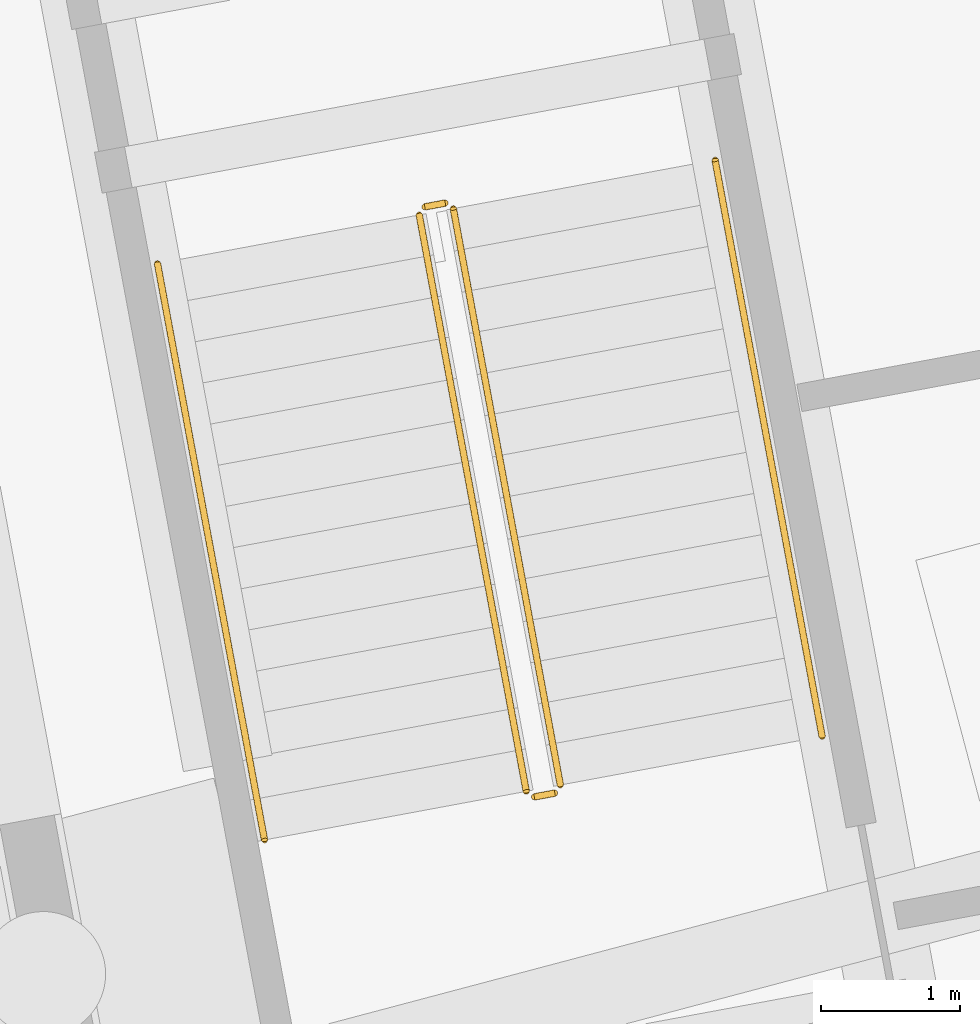
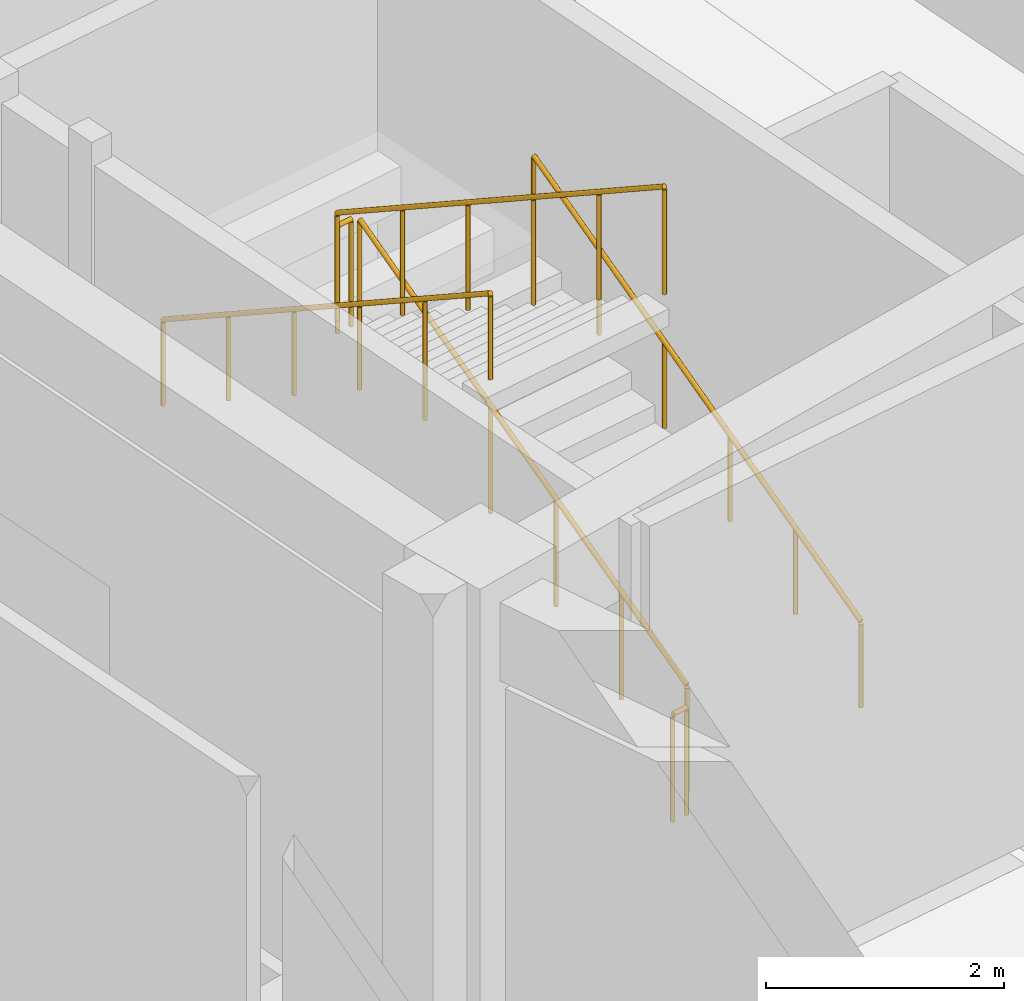
# One storey, part 72 of 88: 6 railings.
"""IFC4 building model written with IfcOpenShell, lengths in metres."""

from ifc_helpers import new_model, si_unit, direction, frame, origin, origin_2d, place, context, subcontext, project, spatial, circle, extrude, material, type_object, element, save


model = new_model("IFC4")

# Units and contexts
model_context = context("Model", 3, precision=1e-05, world=origin(), true_north=direction((0.0, 1.0)))
body_context = subcontext(model_context, "Body", "Model", "MODEL_VIEW")
ifc_project = project(units=[si_unit("LENGTHUNIT", "METRE"), si_unit("AREAUNIT", "SQUARE_METRE"), si_unit("VOLUMEUNIT", "CUBIC_METRE"), si_unit("PLANEANGLEUNIT", "RADIAN"), si_unit("MASSUNIT", "GRAM", prefix="KILO")], contexts=[model_context])

# Site, building, storey
site_placement = place(None, origin())
site = spatial("IfcSite", under=ifc_project, at=site_placement, CompositionType="ELEMENT")
building_placement = place(site_placement, origin())
building = spatial("IfcBuilding", under=site, at=building_placement, Name="Mphavela Belvedere Stadium", CompositionType="ELEMENT")
storey_placement = place(building_placement, origin())
storey = spatial("IfcBuildingStorey", under=building, at=storey_placement, Name="L00", CompositionType="ELEMENT", Elevation=0.0)

# Railings
ifc_material_1 = material(Name="Painted galvanised steel stair guardrail", Category="steel")
railing_type_1 = type_object("IfcRailingType", Name="RAL-GUARD-1120", PredefinedType="GUARDRAIL", material=ifc_material_1)
railing_1_placement = place(storey_placement, frame((18.27001953125, 62.91162109375, 0.179931640625)))
element("IfcRailing", 1, at=railing_1_placement, inside=storey, type_object=railing_type_1, Name="L00 ST-C09 stair guard 1", PredefinedType="GUARDRAIL", context=body_context, shape_type="SweptSolid", body=[
    extrude(circle(Radius=0.02392578125, at=origin_2d()), frame((0.0, 0.0, 1.09619140625), z_axis=(-0.156838474043, 0.844556830339, 0.511981887753), x_axis=(-0.983190365008, -0.182583422456, 0.0)), (0.0, 0.0, 1.0), 4.922119140625),
    extrude(circle(Radius=0.02099609375, at=origin_2d()), origin(), (0.0, 0.0, 1.0), 1.072021484375),
    extrude(circle(Radius=0.02099609375, at=origin_2d()), frame((-0.154296875, 0.831298828125, 0.50390625)), (0.0, 0.0, 1.0), 1.072021484375),
    extrude(circle(Radius=0.02099609375, at=origin_2d()), frame((-0.308837890625, 1.662841796875, 1.008056640625)), (0.0, 0.0, 1.0), 1.072021484375),
    extrude(circle(Radius=0.02099609375, at=origin_2d()), frame((-0.463134765625, 2.494140625, 1.511962890625)), (0.0, 0.0, 1.0), 1.072021484375),
    extrude(circle(Radius=0.02099609375, at=origin_2d()), frame((-0.61767578125, 3.32568359375, 2.01611328125)), (0.0, 0.0, 1.0), 1.072021484375),
    extrude(circle(Radius=0.02099609375, at=origin_2d()), frame((-0.77197265625, 4.156982421875, 2.52001953125)), (0.0, 0.0, 1.0), 1.072021484375),
])
railing_2_placement = place(storey_placement, frame((17.439697265625, 67.108642578125, 2.699951171875)))
element("IfcRailing", 2, at=railing_2_placement, inside=storey, type_object=railing_type_1, Name="L00 ST-C09 stair guard 2", PredefinedType="GUARDRAIL", context=body_context, shape_type="SweptSolid", body=[
    extrude(circle(Radius=0.02392578125, at=origin_2d()), frame((0.0, 0.0, 1.09619140625), z_axis=(-0.982945801652, -0.183895489382, 0.0), x_axis=(0.183895489382, -0.982945801652, 0.0)), (0.0, 0.0, 1.0), 0.14990234375),
    extrude(circle(Radius=0.02099609375, at=origin_2d()), origin(), (0.0, 0.0, 1.0), 1.072021484375),
    extrude(circle(Radius=0.02099609375, at=origin_2d()), frame((-0.1474609375, -0.027587890625, 0.0)), (0.0, 0.0, 1.0), 1.072021484375),
])
railing_3_placement = place(storey_placement, frame((17.252197265625, 67.02294921875, 2.8798828125)))
element("IfcRailing", 3, at=railing_3_placement, inside=storey, type_object=railing_type_1, Name="L00 ST-C09 stair guard 3", PredefinedType="GUARDRAIL", context=body_context, shape_type="SweptSolid", body=[
    extrude(circle(Radius=0.02392578125, at=origin_2d()), frame((0.0, 0.0, 1.09619140625), z_axis=(0.156838474043, -0.844556830339, 0.511981887753), x_axis=(0.983190365008, 0.182583422456, 0.0)), (0.0, 0.0, 1.0), 4.922119140625),
    extrude(circle(Radius=0.02099609375, at=origin_2d()), origin(), (0.0, 0.0, 1.0), 1.072021484375),
    extrude(circle(Radius=0.02099609375, at=origin_2d()), frame((0.154296875, -0.831298828125, 0.50390625)), (0.0, 0.0, 1.0), 1.072021484375),
    extrude(circle(Radius=0.02099609375, at=origin_2d()), frame((0.308837890625, -1.662841796875, 1.008056640625)), (0.0, 0.0, 1.0), 1.072021484375),
    extrude(circle(Radius=0.02099609375, at=origin_2d()), frame((0.463134765625, -2.494140625, 1.511962890625)), (0.0, 0.0, 1.0), 1.072021484375),
    extrude(circle(Radius=0.02099609375, at=origin_2d()), frame((0.61767578125, -3.32568359375, 2.01611328125)), (0.0, 0.0, 1.0), 1.072021484375),
    extrude(circle(Radius=0.02099609375, at=origin_2d()), frame((0.77197265625, -4.156982421875, 2.52001953125)), (0.0, 0.0, 1.0), 1.072021484375),
])
railing_4_placement = place(storey_placement, frame((18.22998046875, 62.853271484375, 0.0)))
element("IfcRailing", 4, at=railing_4_placement, inside=storey, type_object=railing_type_1, Name="L00 ST-C09 stair guard 4", PredefinedType="GUARDRAIL", context=body_context, shape_type="SweptSolid", body=[
    extrude(circle(Radius=0.02392578125, at=origin_2d()), frame((0.0, 0.0, 1.09619140625), z_axis=(-0.983292780963, -0.182031060277, 0.0), x_axis=(0.182031060277, -0.983292780963, 0.0)), (0.0, 0.0, 1.0), 0.150146484375),
    extrude(circle(Radius=0.02099609375, at=origin_2d()), origin(), (0.0, 0.0, 1.0), 1.072021484375),
    extrude(circle(Radius=0.02099609375, at=origin_2d()), frame((-0.147705078125, -0.02734375, 0.0)), (0.0, 0.0, 1.0), 1.072021484375),
])
ifc_material_2 = material(Name="Brushed stainless steel tubular handrail", Category="steel")
railing_type_2 = type_object("IfcRailingType", Name="RAL-HANDRAIL-900", PredefinedType="HANDRAIL", material=ifc_material_2)
railing_5_placement = place(storey_placement, frame((20.15771484375, 63.26220703125, 0.179931640625)))
element("IfcRailing", 5, at=railing_5_placement, inside=storey, type_object=railing_type_2, Name="L00 ST-C09 stair handrail 1", PredefinedType="HANDRAIL", context=body_context, shape_type="SweptSolid", body=[
    extrude(circle(Radius=0.02392578125, at=origin_2d()), frame((0.0, 0.0, 0.8759765625), z_axis=(-0.156845044367, 0.84454260765, 0.512003335849), x_axis=(-0.983188439882, -0.182593788729, 0.0)), (0.0, 0.0, 1.0), 4.921875),
    extrude(circle(Radius=0.02099609375, at=origin_2d()), origin(), (0.0, 0.0, 1.0), 0.851806640625),
    extrude(circle(Radius=0.02099609375, at=origin_2d()), frame((-0.154296875, 0.831298828125, 0.50390625)), (0.0, 0.0, 1.0), 0.851806640625),
    extrude(circle(Radius=0.02099609375, at=origin_2d()), frame((-0.308837890625, 1.66259765625, 1.008056640625)), (0.0, 0.0, 1.0), 0.851806640625),
    extrude(circle(Radius=0.02099609375, at=origin_2d()), frame((-0.463134765625, 2.494140625, 1.511962890625)), (0.0, 0.0, 1.0), 0.851806640625),
    extrude(circle(Radius=0.02099609375, at=origin_2d()), frame((-0.61767578125, 3.325439453125, 2.01611328125)), (0.0, 0.0, 1.0), 0.851806640625),
    extrude(circle(Radius=0.02099609375, at=origin_2d()), frame((-0.77197265625, 4.15673828125, 2.52001953125)), (0.0, 0.0, 1.0), 0.851806640625),
])
railing_6_placement = place(storey_placement, frame((15.364501953125, 66.67236328125, 2.8798828125)))
element("IfcRailing", 6, at=railing_6_placement, inside=storey, type_object=railing_type_2, Name="L00 ST-C09 stair handrail 2", PredefinedType="HANDRAIL", context=body_context, shape_type="SweptSolid", body=[
    extrude(circle(Radius=0.02392578125, at=origin_2d()), frame((0.0, 0.0, 0.8759765625), z_axis=(0.156838474043, -0.844556830339, 0.511981887753), x_axis=(0.983190365008, 0.182583422456, 0.0)), (0.0, 0.0, 1.0), 4.922119140625),
    extrude(circle(Radius=0.02099609375, at=origin_2d()), origin(), (0.0, 0.0, 1.0), 0.851806640625),
    extrude(circle(Radius=0.02099609375, at=origin_2d()), frame((0.154296875, -0.831298828125, 0.50390625)), (0.0, 0.0, 1.0), 0.851806640625),
    extrude(circle(Radius=0.02099609375, at=origin_2d()), frame((0.308837890625, -1.662841796875, 1.008056640625)), (0.0, 0.0, 1.0), 0.851806640625),
    extrude(circle(Radius=0.02099609375, at=origin_2d()), frame((0.463134765625, -2.494140625, 1.511962890625)), (0.0, 0.0, 1.0), 0.851806640625),
    extrude(circle(Radius=0.02099609375, at=origin_2d()), frame((0.61767578125, -3.32568359375, 2.01611328125)), (0.0, 0.0, 1.0), 0.851806640625),
    extrude(circle(Radius=0.02099609375, at=origin_2d()), frame((0.77197265625, -4.156982421875, 2.52001953125)), (0.0, 0.0, 1.0), 0.851806640625),
])

save(model, "model.ifc")
